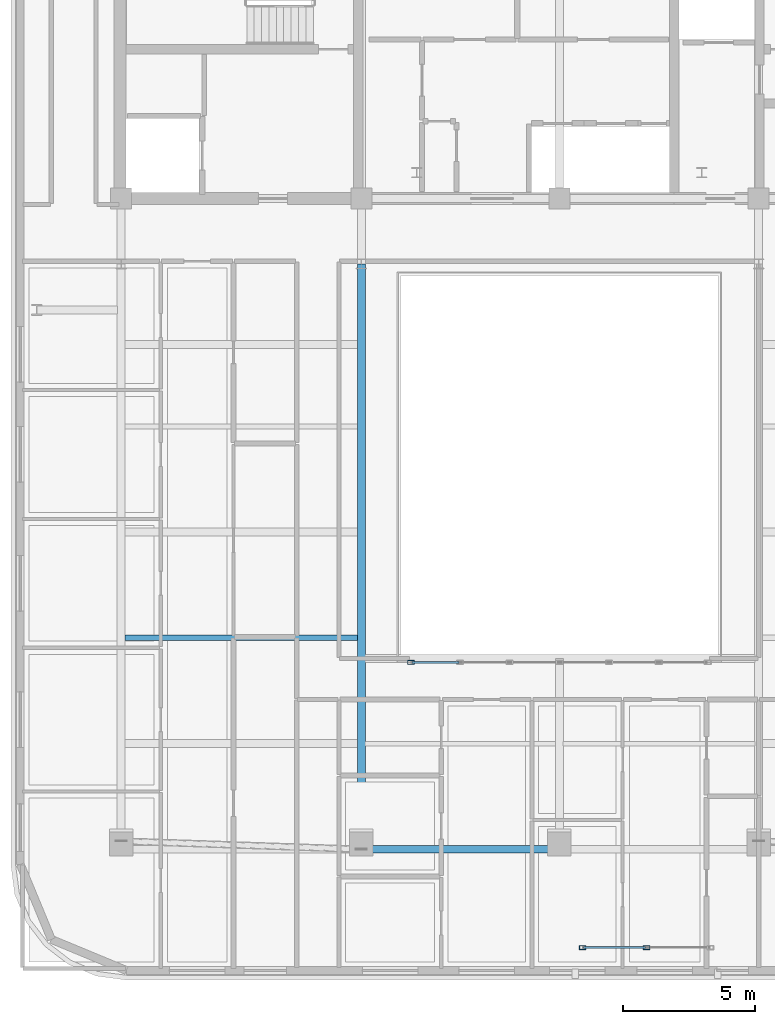
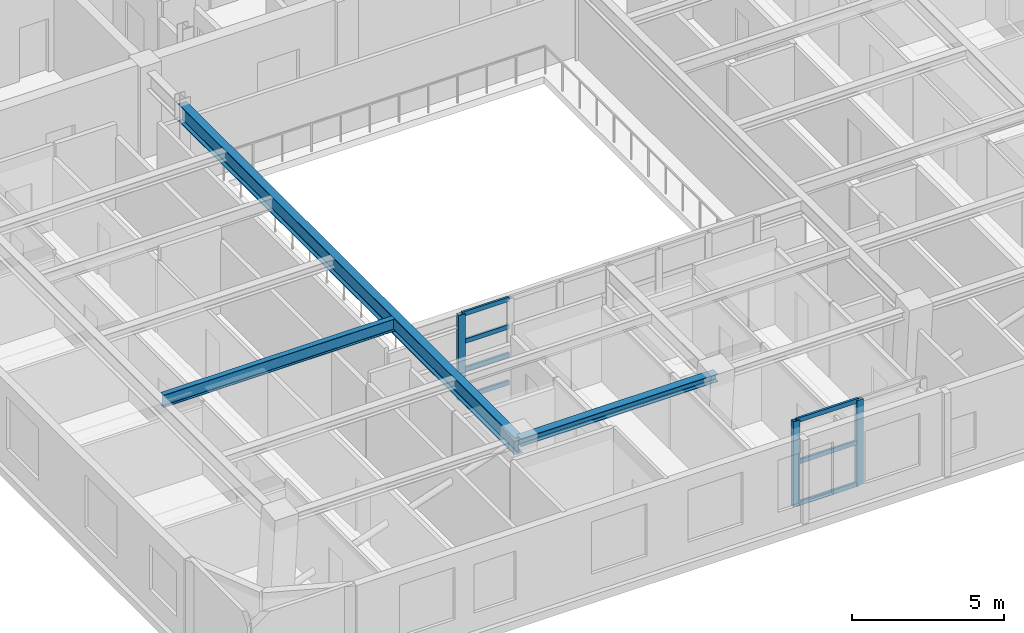
# One storey, part 2 of 14: 10 members, 3 beams, 2 elements without a shape of their own.
"""IFC4 building model written with IfcOpenShell, lengths in metres."""

from ifc_helpers import new_model, si_unit, direction, frame, origin, origin_2d, place, context, subcontext, project, spatial, hollow_rectangle, i_section, extrude, material, layer, layer_set, material_profile, profile_set, type_object, element, aggregate, save


model = new_model("IFC4")

# Units and contexts
model_context = context("Model", 3, precision=1e-05, world=origin(), true_north=direction((0.0, 1.0)))
body_context = subcontext(model_context, "Body", "Model", "MODEL_VIEW")
ifc_project = project(units=[si_unit("LENGTHUNIT", "METRE"), si_unit("AREAUNIT", "SQUARE_METRE"), si_unit("VOLUMEUNIT", "CUBIC_METRE"), si_unit("PLANEANGLEUNIT", "RADIAN"), si_unit("MASSUNIT", "GRAM", prefix="KILO")], contexts=[model_context])

# Site, building, storey
site_placement = place(None, origin())
site = spatial("IfcSite", under=ifc_project, at=site_placement, CompositionType="ELEMENT")
building_placement = place(site_placement, origin())
building = spatial("IfcBuilding", under=site, at=building_placement, Name="Zarnavel Station Tower", CompositionType="ELEMENT")
storey_placement = place(building_placement, frame((0.0, 0.0, 251.0)))
storey = spatial("IfcBuildingStorey", under=building, at=storey_placement, Name="L68", CompositionType="ELEMENT", Elevation=251.0)

# Curtain wall, members
ifc_material_1 = material(Name="Aluminium Dark Anodised and Solar-Control Glass", Category="aluminium")
ifc_layer = layer(ifc_material_1, 0.179931640625)
ifc_layer_set = layer_set([ifc_layer], Name="CWS6")
curtain_wall_type = type_object("IfcCurtainWallType", Name="CWS6", PredefinedType="NOTDEFINED", material=ifc_layer_set)
curtain_wall_1_placement = place(storey_placement, origin())
curtain_wall_1 = element("IfcCurtainWall", 1, at=curtain_wall_1_placement, inside=storey, type_object=curtain_wall_type, Name="L68 Curtain Wall CWS6-LOG-L68", PredefinedType="NOTDEFINED")
ifc_material_2 = material(Name="Steel S355J2 (Black Fluoropolymer Coated)", Category="steel")
ifc_material_profile_1 = material_profile(ifc_material_2, hollow_rectangle(XDim=0.14990234375, YDim=0.25, WallThickness=0.010009765625, at=origin_2d()), Name="RHS250x150x10")
ifc_profile_set_1 = profile_set([ifc_material_profile_1], Name="Steel S355J2 (Black Fluoropolymer Coated)")
member_type_1 = type_object("IfcMemberType", Name="CWS6_MUL", PredefinedType="MULLION", material=ifc_profile_set_1)
member_1_placement = place(storey_placement, frame((29.679931640625, -0.550048828125, 0.0), z_axis=(0.0, 0.0, 1.0), x_axis=(0.0, 1.0, 0.0)))
member_1 = element("IfcMember", 2, at=member_1_placement, type_object=member_type_1, Name="CW6 mullion 1", PredefinedType="MULLION", context=body_context, shape_type="SweptSolid", body=[
    extrude(hollow_rectangle(XDim=0.14990234375, YDim=0.25, WallThickness=0.010009765625, at=origin_2d()), origin(), (0.0, 0.0, 1.0), 3.419921875),
])
member_2_placement = place(storey_placement, frame((32.10009765625, -0.550048828125, 0.0), z_axis=(0.0, 0.0, 1.0), x_axis=(0.0, 1.0, 0.0)))
member_2 = element("IfcMember", 3, at=member_2_placement, type_object=member_type_1, Name="CW6 mullion 2", PredefinedType="MULLION", context=body_context, shape_type="SweptSolid", body=[
    extrude(hollow_rectangle(XDim=0.14990234375, YDim=0.25, WallThickness=0.010009765625, at=origin_2d()), origin(), (0.0, 0.0, 1.0), 3.419921875),
])

# Curtain wall, member
curtain_wall_2_placement = place(storey_placement, origin())
curtain_wall_2 = element("IfcCurtainWall", 4, at=curtain_wall_2_placement, inside=storey, type_object=curtain_wall_type, Name="L68 Curtain Wall CWS6-L68-AS", PredefinedType="NOTDEFINED")
member_3_placement = place(storey_placement, frame((23.179931640625, 10.25, 0.0), z_axis=(0.0, 0.0, 1.0), x_axis=(0.0, 1.0, 0.0)))
member_3 = element("IfcMember", 5, at=member_3_placement, type_object=member_type_1, Name="CW6 mullion 1", PredefinedType="MULLION", context=body_context, shape_type="SweptSolid", body=[
    extrude(hollow_rectangle(XDim=0.14990234375, YDim=0.25, WallThickness=0.010009765625, at=origin_2d()), origin(), (0.0, 0.0, 1.0), 3.419921875),
])

# Member
ifc_material_3 = material(Name="Steel S355J2 (Black Fluoropolymer Coated)", Category="steel")
ifc_material_profile_2 = material_profile(ifc_material_3, hollow_rectangle(XDim=0.080078125, YDim=0.179931640625, WallThickness=0.00634765625, at=origin_2d()), Name="RHS180x80x6.3")
ifc_profile_set_2 = profile_set([ifc_material_profile_2], Name="Steel S355J2 (Black Fluoropolymer Coated)")
member_type_2 = type_object("IfcMemberType", Name="CWS6_TRN", PredefinedType="USERDEFINED", material=ifc_profile_set_2)
member_4_placement = place(storey_placement, frame((29.7099609375, -0.550048828125, 0.030029296875), z_axis=(1.0, 0.0, 0.0), x_axis=(0.0, 1.0, 0.0)))
member_4 = element("IfcMember", 6, at=member_4_placement, type_object=member_type_2, Name="CW6 transom 1.1", ObjectType="TRANSOM", PredefinedType="USERDEFINED", context=body_context, shape_type="SweptSolid", body=[
    extrude(hollow_rectangle(XDim=0.080078125, YDim=0.179931640625, WallThickness=0.00634765625, at=origin_2d()), origin(), (0.0, 0.0, 1.0), 2.360107421875),
])

member_5_placement = place(storey_placement, frame((29.7099609375, -0.550048828125, 1.7099609375), z_axis=(1.0, 0.0, 0.0), x_axis=(0.0, 1.0, 0.0)))
member_5 = element("IfcMember", 7, at=member_5_placement, type_object=member_type_2, Name="CW6 transom 1.2", ObjectType="TRANSOM", PredefinedType="USERDEFINED", context=body_context, shape_type="SweptSolid", body=[
    extrude(hollow_rectangle(XDim=0.080078125, YDim=0.179931640625, WallThickness=0.00634765625, at=origin_2d()), origin(), (0.0, 0.0, 1.0), 2.360107421875),
])

member_6_placement = place(storey_placement, frame((29.7099609375, -0.550048828125, 3.389892578125), z_axis=(1.0, 0.0, 0.0), x_axis=(0.0, 1.0, 0.0)))
member_6 = element("IfcMember", 8, at=member_6_placement, type_object=member_type_2, Name="CW6 transom 1.3", ObjectType="TRANSOM", PredefinedType="USERDEFINED", context=body_context, shape_type="SweptSolid", body=[
    extrude(hollow_rectangle(XDim=0.080078125, YDim=0.179931640625, WallThickness=0.00634765625, at=origin_2d()), origin(), (0.0, 0.0, 1.0), 2.360107421875),
])

aggregate(curtain_wall_1, [member_1, member_2, member_4, member_5, member_6])

member_7_placement = place(storey_placement, frame((23.2099609375, 10.25, 0.030029296875), z_axis=(1.0, 0.0, 0.0), x_axis=(0.0, 1.0, 0.0)))
member_7 = element("IfcMember", 9, at=member_7_placement, type_object=member_type_2, Name="CW6 transom 1.1", ObjectType="TRANSOM", PredefinedType="USERDEFINED", context=body_context, shape_type="SweptSolid", body=[
    extrude(hollow_rectangle(XDim=0.080078125, YDim=0.179931640625, WallThickness=0.00634765625, at=origin_2d()), origin(), (0.0, 0.0, 1.0), 1.79345703125),
])

member_8_placement = place(storey_placement, frame((23.2099609375, 10.25, 1.139892578125), z_axis=(1.0, 0.0, 0.0), x_axis=(0.0, 1.0, 0.0)))
member_8 = element("IfcMember", 10, at=member_8_placement, type_object=member_type_2, Name="CW6 transom 1.2", ObjectType="TRANSOM", PredefinedType="USERDEFINED", context=body_context, shape_type="SweptSolid", body=[
    extrude(hollow_rectangle(XDim=0.080078125, YDim=0.179931640625, WallThickness=0.00634765625, at=origin_2d()), origin(), (0.0, 0.0, 1.0), 1.79345703125),
])

member_9_placement = place(storey_placement, frame((23.2099609375, 10.25, 2.280029296875), z_axis=(1.0, 0.0, 0.0), x_axis=(0.0, 1.0, 0.0)))
member_9 = element("IfcMember", 11, at=member_9_placement, type_object=member_type_2, Name="CW6 transom 1.3", ObjectType="TRANSOM", PredefinedType="USERDEFINED", context=body_context, shape_type="SweptSolid", body=[
    extrude(hollow_rectangle(XDim=0.080078125, YDim=0.179931640625, WallThickness=0.00634765625, at=origin_2d()), origin(), (0.0, 0.0, 1.0), 1.79345703125),
])

member_10_placement = place(storey_placement, frame((23.2099609375, 10.25, 3.389892578125), z_axis=(1.0, 0.0, 0.0), x_axis=(0.0, 1.0, 0.0)))
member_10 = element("IfcMember", 12, at=member_10_placement, type_object=member_type_2, Name="CW6 transom 1.4", ObjectType="TRANSOM", PredefinedType="USERDEFINED", context=body_context, shape_type="SweptSolid", body=[
    extrude(hollow_rectangle(XDim=0.080078125, YDim=0.179931640625, WallThickness=0.00634765625, at=origin_2d()), origin(), (0.0, 0.0, 1.0), 1.79345703125),
])

aggregate(curtain_wall_2, [member_3, member_7, member_8, member_9, member_10])

# Beams
ifc_material_4 = material(Name="Steel S355J2", Category="steel")
ifc_material_profile_3 = material_profile(ifc_material_4, i_section(OverallWidth=0.300048828125, OverallDepth=0.320068359375, WebThickness=0.011474609375, FlangeThickness=0.0205078125, FilletRadius=0.027099609375, at=origin_2d()), Name="HEB320")
ifc_profile_set_3 = profile_set([ifc_material_profile_3], Name="Steel S355J2")
beam_type_1 = type_object("IfcBeamType", Name="EB_HEB320", PredefinedType="SPANDREL", material=ifc_profile_set_3)
beam_1_placement = place(storey_placement, frame((21.300048828125, 3.17236328125, 3.260009765625), z_axis=(1.0, 0.0, 0.0), x_axis=(0.0, 1.0, 0.0)))
element("IfcBeam", 13, at=beam_1_placement, inside=storey, type_object=beam_type_1, Name="L68 South Raked Spandrel 2", PredefinedType="SPANDREL", context=body_context, shape_type="SweptSolid", body=[
    extrude(i_section(OverallWidth=0.300048828125, OverallDepth=0.320068359375, WebThickness=0.011474609375, FlangeThickness=0.0205078125, FilletRadius=0.027099609375, at=origin_2d()), origin(), (0.0, 0.0, 1.0), 7.5),
])
ifc_material_5 = material(Name="Steel S355J2", Category="steel")
ifc_material_profile_4 = material_profile(ifc_material_5, i_section(OverallWidth=0.199951171875, OverallDepth=0.5, WebThickness=0.01025390625, FlangeThickness=0.01611328125, FilletRadius=0.02099609375, at=origin_2d()), Name="IPE500")
ifc_profile_set_4 = profile_set([ifc_material_profile_4], Name="Steel S355J2")
beam_type_2 = type_object("IfcBeamType", Name="FB_IPE500", PredefinedType="BEAM", material=ifc_profile_set_4)
beam_2_placement = place(storey_placement, frame((12.344970703125, 11.181640625, 3.169921875), z_axis=(1.0, 0.0, 0.0), x_axis=(0.0, 1.0, 0.0)))
element("IfcBeam", 14, at=beam_2_placement, inside=storey, type_object=beam_type_2, Name="L68 West Bay Beam 2", PredefinedType="BEAM", context=body_context, shape_type="SweptSolid", body=[
    extrude(i_section(OverallWidth=0.199951171875, OverallDepth=0.5, WebThickness=0.01025390625, FlangeThickness=0.01611328125, FilletRadius=0.02099609375, at=origin_2d()), origin(), (0.0, 0.0, 1.0), 8.81005859375),
])
ifc_material_6 = material(Name="Steel S355J2", Category="steel")
ifc_material_profile_5 = material_profile(ifc_material_6, i_section(OverallWidth=0.300048828125, OverallDepth=0.699951171875, WebThickness=0.01708984375, FlangeThickness=0.031982421875, FilletRadius=0.027099609375, at=origin_2d()), Name="HEB700")
ifc_profile_set_5 = profile_set([ifc_material_profile_5], Name="Steel S355J2")
beam_type_3 = type_object("IfcBeamType", Name="FG_HEB700", PredefinedType="USERDEFINED", material=ifc_profile_set_5)
beam_3_placement = place(storey_placement, frame((21.300048828125, 3.17236328125, 3.070068359375), z_axis=(0.0, 1.0, 0.0), x_axis=(-1.0, 0.0, 0.0)))
element("IfcBeam", 15, at=beam_3_placement, inside=storey, type_object=beam_type_3, Name="L68 South-Zone NS Girder 2", ObjectType="GIRDER", PredefinedType="USERDEFINED", context=body_context, shape_type="SweptSolid", body=[
    extrude(i_section(OverallWidth=0.300048828125, OverallDepth=0.699951171875, WebThickness=0.01708984375, FlangeThickness=0.031982421875, FilletRadius=0.027099609375, at=origin_2d()), origin(), (0.0, 0.0, 1.0), 22.177734375),
])

save(model, "model.ifc")
